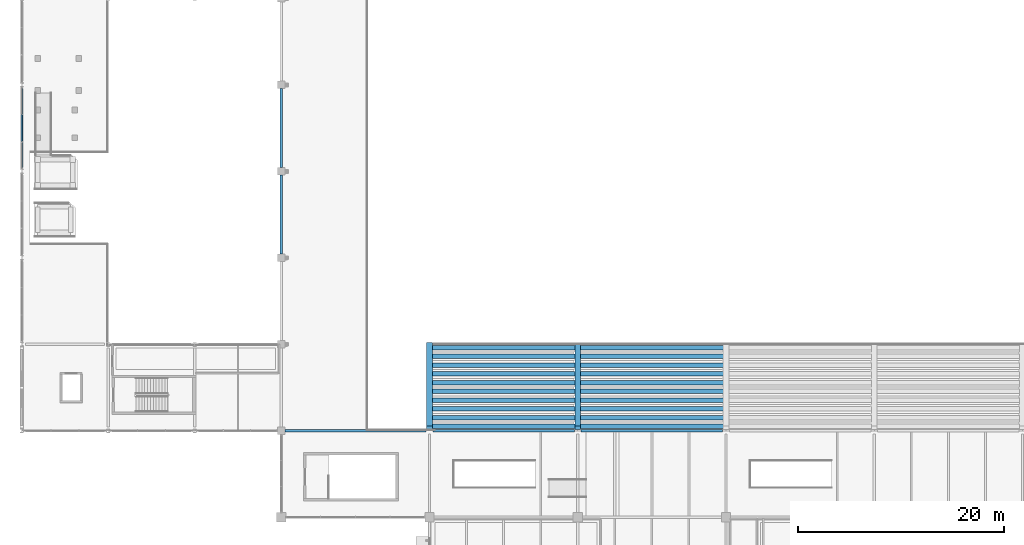
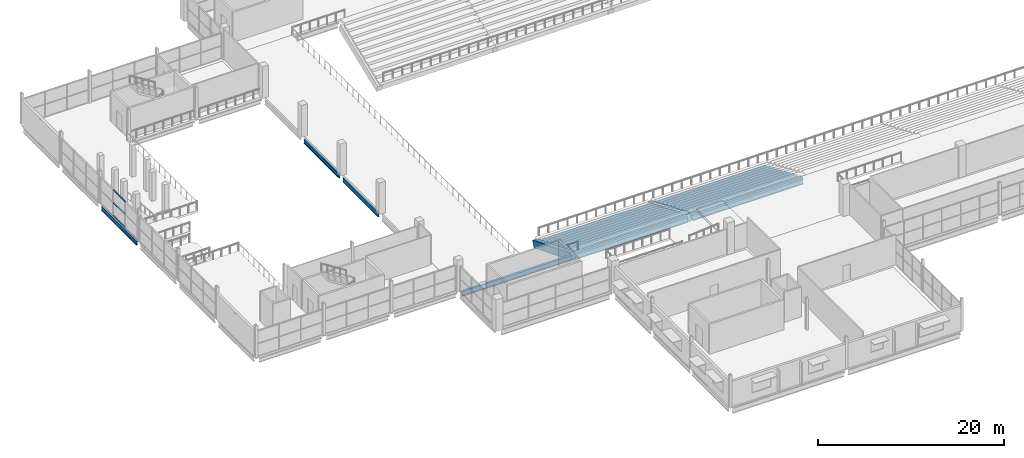
# One storey, part 29 of 161: 28 beams, 3 members, 1 element without a shape of its own.
"""IFC4 building model written with IfcOpenShell, lengths in metres."""

from ifc_helpers import new_model, si_unit, direction, frame, origin, origin_2d, place, context, subcontext, project, spatial, rectangle, hollow_rectangle, i_section, extrude, material, material_profile, profile_set, type_object, element, aggregate, save


model = new_model("IFC4")

# Units and contexts
model_context = context("Model", 3, precision=1e-05, world=origin(), true_north=direction((0.0, 1.0)))
body_context = subcontext(model_context, "Body", "Model", "MODEL_VIEW")
ifc_project = project(units=[si_unit("LENGTHUNIT", "METRE"), si_unit("AREAUNIT", "SQUARE_METRE"), si_unit("VOLUMEUNIT", "CUBIC_METRE"), si_unit("PLANEANGLEUNIT", "RADIAN"), si_unit("MASSUNIT", "GRAM", prefix="KILO"), si_unit("THERMODYNAMICTEMPERATUREUNIT", "KELVIN")], contexts=[model_context])

# Site, building, storey
site_placement = place(None, origin())
site = spatial("IfcSite", under=ifc_project, at=site_placement, CompositionType="ELEMENT")
building_placement = place(site_placement, origin())
building = spatial("IfcBuilding", under=site, at=building_placement, Name="Nduvali Passage Aquatics Centre", CompositionType="ELEMENT")
storey_placement = place(building_placement, frame((0.0, 0.0, 4.800048828125)))
storey = spatial("IfcBuildingStorey", under=building, at=storey_placement, Name="L01", CompositionType="ELEMENT", Elevation=4.800048828125)

# Curtain wall, members
ifc_material_1 = material(Name="Aluminium EN AW-6063 T6", Category="aluminium")
curtain_wall_type = type_object("IfcCurtainWallType", Name="ENV-CW-DIVE", PredefinedType="NOTDEFINED", material=ifc_material_1)
curtain_wall_placement = place(storey_placement, origin())
curtain_wall = element("IfcCurtainWall", 1, at=curtain_wall_placement, inside=storey, type_object=curtain_wall_type, Name="L01 West Diving Tower Viewing CW 138", PredefinedType="NOTDEFINED")
ifc_material_profile_1 = material_profile(ifc_material_1, hollow_rectangle(XDim=0.14990234375, YDim=0.06005859375, WallThickness=0.00390625, at=origin_2d()), Name="ALU TRANSOM 150x60x4")
ifc_profile_set_1 = profile_set([ifc_material_profile_1], Name="Aluminium EN AW-6063 T6")
member_type = type_object("IfcMemberType", Name="ENV-MEM-TRN80", PredefinedType="USERDEFINED", material=ifc_profile_set_1)
member_1_placement = place(storey_placement, frame((0.0, 61.69677734375, 0.030029296875), z_axis=(0.0, 1.0, 0.0), x_axis=(-1.0, 0.0, 0.0)))
member_1 = element("IfcMember", 2, at=member_1_placement, type_object=member_type, Name="West Diving Tower Viewing CW Transom B2-R0", ObjectType="TRANSOM", PredefinedType="USERDEFINED", context=body_context, shape_type="SweptSolid", body=[
    extrude(hollow_rectangle(XDim=0.14990234375, YDim=0.06005859375, WallThickness=0.00390625, at=origin_2d()), origin(), (0.0, 0.0, 1.0), 2.6064453125),
])
member_2_placement = place(storey_placement, frame((0.0, 61.69677734375, 1.6982421875), z_axis=(0.0, 1.0, 0.0), x_axis=(-1.0, 0.0, 0.0)))
member_2 = element("IfcMember", 3, at=member_2_placement, type_object=member_type, Name="West Diving Tower Viewing CW Transom B2-R1", ObjectType="TRANSOM", PredefinedType="USERDEFINED", context=body_context, shape_type="SweptSolid", body=[
    extrude(hollow_rectangle(XDim=0.14990234375, YDim=0.06005859375, WallThickness=0.00390625, at=origin_2d()), origin(), (0.0, 0.0, 1.0), 2.6064453125),
])
member_3_placement = place(storey_placement, frame((0.0, 61.69677734375, 3.366455078125), z_axis=(0.0, 1.0, 0.0), x_axis=(-1.0, 0.0, 0.0)))
member_3 = element("IfcMember", 4, at=member_3_placement, type_object=member_type, Name="West Diving Tower Viewing CW Transom B2-R2", ObjectType="TRANSOM", PredefinedType="USERDEFINED", context=body_context, shape_type="SweptSolid", body=[
    extrude(hollow_rectangle(XDim=0.14990234375, YDim=0.06005859375, WallThickness=0.00390625, at=origin_2d()), origin(), (0.0, 0.0, 1.0), 2.6064453125),
])
aggregate(curtain_wall, [member_1, member_2, member_3])

# Beams
ifc_material_2 = material(Name="Concrete C40/50", Category="concrete")
ifc_material_profile_2 = material_profile(ifc_material_2, rectangle(XDim=0.449951171875, YDim=0.75, at=origin_2d()), Name="RC 450x750")
ifc_profile_set_2 = profile_set([ifc_material_profile_2], Name="Concrete C40/50")
beam_type_1 = type_object("IfcBeamType", Name="STR-BM-RC4575", PredefinedType="BEAM", material=ifc_profile_set_2)
for number, where, z_axis, x_axis, name in (
    (5, (39.840087890625, 41.675048828125, -3.97509765625), (1.0, 0.0, 0.0), (0.0, 1.0, 0.0), "L01 South Stand Tier Bearer Row 01 B3-1513"),
    (6, (54.239990234375, 41.675048828125, -3.97509765625), (1.0, 0.0, 0.0), (0.0, 1.0, 0.0), "L01 South Stand Tier Bearer Row 01 B3-1514"),
    (7, (39.840087890625, 40.824951171875, -3.614990234375), (1.0, 0.0, 0.0), (0.0, 1.0, 0.0), "L01 South Stand Tier Bearer Row 02 B3-1518"),
    (8, (54.239990234375, 40.824951171875, -3.614990234375), (1.0, 0.0, 0.0), (0.0, 1.0, 0.0), "L01 South Stand Tier Bearer Row 02 B3-1519"),
    (9, (39.840087890625, 39.97509765625, -3.255126953125), (1.0, 0.0, 0.0), (0.0, 1.0, 0.0), "L01 South Stand Tier Bearer Row 03 B3-1523"),
    (10, (54.239990234375, 39.97509765625, -3.255126953125), (1.0, 0.0, 0.0), (0.0, 1.0, 0.0), "L01 South Stand Tier Bearer Row 03 B3-1524"),
    (11, (39.840087890625, 39.125, -2.89501953125), (1.0, 0.0, 0.0), (0.0, 1.0, 0.0), "L01 South Stand Tier Bearer Row 04 B3-1528"),
    (12, (54.239990234375, 39.125, -2.89501953125), (1.0, 0.0, 0.0), (0.0, 1.0, 0.0), "L01 South Stand Tier Bearer Row 04 B3-1529"),
    (13, (39.840087890625, 38.27490234375, -2.53515625), (1.0, 0.0, 0.0), (0.0, 1.0, 0.0), "L01 South Stand Tier Bearer Row 05 B3-1533"),
    (14, (54.239990234375, 38.27490234375, -2.53515625), (1.0, 0.0, 0.0), (0.0, 1.0, 0.0), "L01 South Stand Tier Bearer Row 05 B3-1534"),
    (15, (39.840087890625, 37.425048828125, -2.175048828125), (1.0, 0.0, 0.0), (0.0, 1.0, 0.0), "L01 South Stand Tier Bearer Row 06 B3-1538"),
    (16, (54.239990234375, 37.425048828125, -2.175048828125), (1.0, 0.0, 0.0), (0.0, 1.0, 0.0), "L01 South Stand Tier Bearer Row 06 B3-1539"),
    (17, (39.840087890625, 36.574951171875, -1.81494140625), (1.0, 0.0, 0.0), (0.0, 1.0, 0.0), "L01 South Stand Tier Bearer Row 07 B3-1543"),
    (18, (54.239990234375, 36.574951171875, -1.81494140625), (1.0, 0.0, 0.0), (0.0, 1.0, 0.0), "L01 South Stand Tier Bearer Row 07 B3-1544"),
    (19, (39.840087890625, 35.72509765625, -1.455078125), (1.0, 0.0, 0.0), (0.0, 1.0, 0.0), "L01 South Stand Tier Bearer Row 08 B3-1548"),
    (20, (54.239990234375, 35.72509765625, -1.455078125), (1.0, 0.0, 0.0), (0.0, 1.0, 0.0), "L01 South Stand Tier Bearer Row 08 B3-1549"),
    (21, (39.840087890625, 34.875, -1.094970703125), (1.0, 0.0, 0.0), (0.0, 1.0, 0.0), "L01 South Stand Tier Bearer Row 09 B3-1553"),
    (22, (54.239990234375, 34.875, -1.094970703125), (1.0, 0.0, 0.0), (0.0, 1.0, 0.0), "L01 South Stand Tier Bearer Row 09 B3-1554"),
    (23, (39.840087890625, 34.02490234375, -0.735107421875), (1.0, 0.0, 0.0), (0.0, 1.0, 0.0), "L01 South Stand Tier Bearer Row 10 B3-1558"),
    (24, (54.239990234375, 34.02490234375, -0.735107421875), (1.0, 0.0, 0.0), (0.0, 1.0, 0.0), "L01 South Stand Tier Bearer Row 10 B3-1559"),
):
    element("IfcBeam", number, at=place(storey_placement, frame(where, z_axis=z_axis, x_axis=x_axis)), inside=storey, type_object=beam_type_1, Name=name, PredefinedType="BEAM", context=body_context, shape_type="SweptSolid", body=[
        extrude(rectangle(XDim=0.449951171875, YDim=0.75, at=origin_2d()), origin(), (0.0, 0.0, 1.0), 13.919921875),
    ])
ifc_material_3 = material(Name="Steel S355", Category="steel")
ifc_material_profile_3 = material_profile(ifc_material_3, i_section(OverallWidth=0.210693359375, OverallDepth=0.53955078125, WebThickness=0.01171875, FlangeThickness=0.018798828125, FilletRadius=0.0126953125, at=origin_2d()), Name="UKB 533x210x109")
ifc_profile_set_3 = profile_set([ifc_material_profile_3], Name="Steel S355")
beam_type_2 = type_object("IfcBeamType", Name="STR-BM-UKB533-EXT", PredefinedType="BEAM", material=ifc_profile_set_3)
beam_1_placement = place(storey_placement, frame((0.0, 59.175048828125, -0.553955078125), z_axis=(0.0, 1.0, 0.0), x_axis=(-1.0, 0.0, 0.0)))
element("IfcBeam", 25, at=beam_1_placement, inside=storey, type_object=beam_type_2, Name="L01 Primary Y-Girder B6E-0561", PredefinedType="BEAM", context=body_context, shape_type="SweptSolid", body=[
    extrude(i_section(OverallWidth=0.210693359375, OverallDepth=0.53955078125, WebThickness=0.01171875, FlangeThickness=0.018798828125, FilletRadius=0.0126953125, at=origin_2d()), origin(), (0.0, 0.0, 1.0), 7.64990234375),
])
beam_2_placement = place(storey_placement, frame((25.199951171875, 50.77490234375, -0.553955078125), z_axis=(0.0, 1.0, 0.0), x_axis=(-1.0, 0.0, 0.0)))
element("IfcBeam", 26, at=beam_2_placement, inside=storey, type_object=beam_type_2, Name="L01 Primary Y-Girder B6E-0571", PredefinedType="BEAM", context=body_context, shape_type="SweptSolid", body=[
    extrude(i_section(OverallWidth=0.210693359375, OverallDepth=0.53955078125, WebThickness=0.01171875, FlangeThickness=0.018798828125, FilletRadius=0.0126953125, at=origin_2d()), origin(), (0.0, 0.0, 1.0), 7.650146484375),
])
beam_3_placement = place(storey_placement, frame((25.199951171875, 59.175048828125, -0.553955078125), z_axis=(0.0, 1.0, 0.0), x_axis=(-1.0, 0.0, 0.0)))
element("IfcBeam", 27, at=beam_3_placement, inside=storey, type_object=beam_type_2, Name="L01 Primary Y-Girder B6E-0572", PredefinedType="BEAM", context=body_context, shape_type="SweptSolid", body=[
    extrude(i_section(OverallWidth=0.210693359375, OverallDepth=0.53955078125, WebThickness=0.01171875, FlangeThickness=0.018798828125, FilletRadius=0.0126953125, at=origin_2d()), origin(), (0.0, 0.0, 1.0), 7.64990234375),
])
ifc_material_profile_4 = material_profile(ifc_material_3, i_section(OverallWidth=0.253662109375, OverallDepth=0.68359375, WebThickness=0.012451171875, FlangeThickness=0.01904296875, FilletRadius=0.01513671875, at=origin_2d()), Name="UKB 686x254x140")
ifc_profile_set_4 = profile_set([ifc_material_profile_4], Name="Steel S355")
beam_type_3 = type_object("IfcBeamType", Name="STR-BM-UKB686", PredefinedType="BEAM", material=ifc_profile_set_4)
beam_4_placement = place(storey_placement, frame((25.574951171875, 33.60009765625, -0.625732421875), z_axis=(1.0, 0.0, 0.0), x_axis=(0.0, 1.0, 0.0)))
element("IfcBeam", 28, at=beam_4_placement, inside=storey, type_object=beam_type_3, Name="L01 Primary X-Girder B4-0459", PredefinedType="BEAM", context=body_context, shape_type="SweptSolid", body=[
    extrude(i_section(OverallWidth=0.253662109375, OverallDepth=0.68359375, WebThickness=0.012451171875, FlangeThickness=0.01904296875, FilletRadius=0.01513671875, at=origin_2d()), origin(), (0.0, 0.0, 1.0), 13.699951171875),
])
for number, where, z_axis, x_axis, name in (
    (29, (39.925048828125, 33.60009765625, -0.705810546875), (1.0, 0.0, 0.0), (0.0, 1.0, 0.0), "L01 Primary X-Girder B4-0460"),
    (30, (54.324951171875, 33.60009765625, -0.705810546875), (1.0, 0.0, 0.0), (0.0, 1.0, 0.0), "L01 Primary X-Girder B4-0461"),
):
    element("IfcBeam", number, at=place(storey_placement, frame(where, z_axis=z_axis, x_axis=x_axis)), inside=storey, type_object=beam_type_3, Name=name, PredefinedType="BEAM", context=body_context, shape_type="SweptSolid", body=[
        extrude(i_section(OverallWidth=0.253662109375, OverallDepth=0.68359375, WebThickness=0.012451171875, FlangeThickness=0.01904296875, FilletRadius=0.01513671875, at=origin_2d()), origin(), (0.0, 0.0, 1.0), 13.75),
    ])
ifc_material_profile_5 = material_profile(ifc_material_2, rectangle(XDim=0.550048828125, YDim=0.89990234375, at=origin_2d()), Name="RC 550x900")
ifc_profile_set_5 = profile_set([ifc_material_profile_5], Name="Concrete C40/50")
beam_type_4 = type_object("IfcBeamType", Name="STR-RAK-RC5085", PredefinedType="USERDEFINED", material=ifc_profile_set_5)
for number, where, z_axis, x_axis, name in (
    (31, (39.60009765625, 33.8798828125, -0.78515625), (0.0, 0.928794121212, -0.370596114931), (-1.0, 0.0, 0.0), "L01 South Stand Raker Beam RK1-1507"),
    (32, (54.0, 33.8798828125, -0.78515625), (0.0, 0.928794121212, -0.370596114931), (-1.0, 0.0, 0.0), "L01 South Stand Raker Beam RK1-1508"),
):
    element("IfcBeam", number, at=place(storey_placement, frame(where, z_axis=z_axis, x_axis=x_axis)), inside=storey, type_object=beam_type_4, Name=name, ObjectType="RAKER", PredefinedType="USERDEFINED", context=body_context, shape_type="SweptSolid", body=[
        extrude(rectangle(XDim=0.550048828125, YDim=0.89990234375, at=origin_2d()), origin(), (0.0, 0.0, 1.0), 8.74267578125),
    ])

save(model, "model.ifc")
